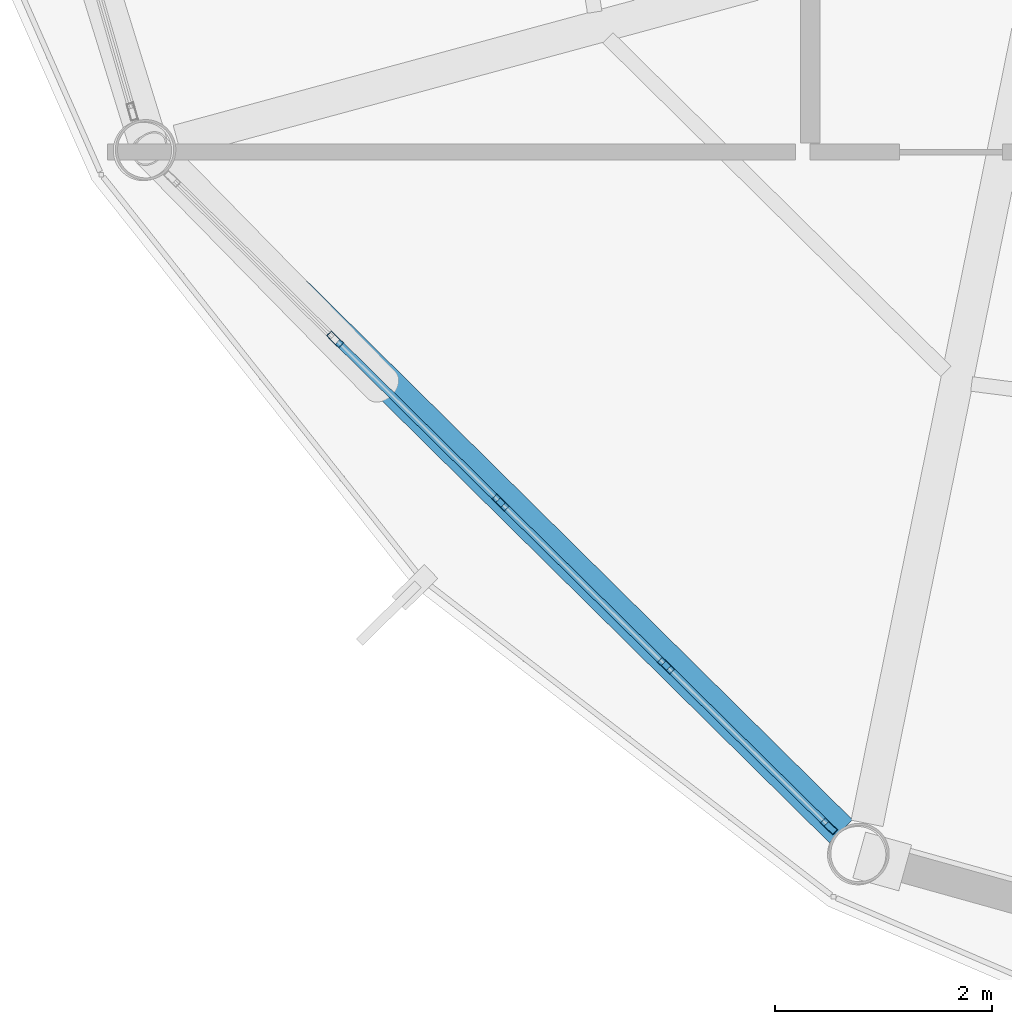
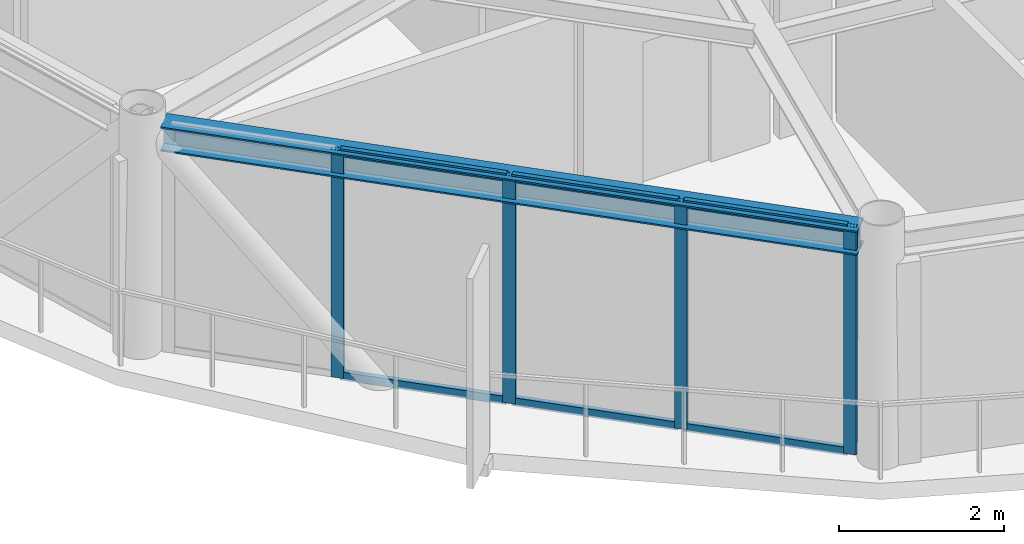
# One storey, part 2 of 26: 10 members, 1 beam, 1 element without a shape of its own.
"""IFC4 building model written with IfcOpenShell, lengths in metres."""

from ifc_helpers import new_model, si_unit, direction, frame, origin, origin_2d, place, context, subcontext, project, spatial, hollow_rectangle, i_section, extrude, material, layer, layer_set, material_profile, profile_set, type_object, element, aggregate, save


model = new_model("IFC4")

# Units and contexts
model_context = context("Model", 3, precision=1e-05, world=origin(), true_north=direction((0.0, 1.0)))
body_context = subcontext(model_context, "Body", "Model", "MODEL_VIEW")
ifc_project = project(units=[si_unit("LENGTHUNIT", "METRE"), si_unit("AREAUNIT", "SQUARE_METRE"), si_unit("VOLUMEUNIT", "CUBIC_METRE"), si_unit("PLANEANGLEUNIT", "RADIAN"), si_unit("MASSUNIT", "GRAM", prefix="KILO")], contexts=[model_context])

# Site, building, storey
site_placement = place(None, origin())
site = spatial("IfcSite", under=ifc_project, at=site_placement, CompositionType="ELEMENT")
building_placement = place(site_placement, origin())
building = spatial("IfcBuilding", under=site, at=building_placement, Name="Varnakorn Sky Granary", CompositionType="ELEMENT")
storey_placement = place(building_placement, frame((0.0, 0.0, 267.0)))
storey = spatial("IfcBuildingStorey", under=building, at=storey_placement, Name="L68", CompositionType="ELEMENT", Elevation=267.0)

# Beam
ifc_material_1 = material(Name="Steel S355JR", Category="steel")
ifc_material_profile_1 = material_profile(ifc_material_1, i_section(OverallWidth=0.300048828125, OverallDepth=0.360107421875, WebThickness=0.012451171875, FlangeThickness=0.0224609375, at=origin_2d()), Name="HE 360 B")
ifc_profile_set_1 = profile_set([ifc_material_profile_1], Name="Steel S355JR")
beam_type = type_object("IfcBeamType", Name="BM-SPD-Z5", PredefinedType="SPANDREL", material=ifc_profile_set_1)
beam_placement = place(storey_placement, frame((-10.510498046875, -9.052978515625, 3.179931640625), z_axis=(0.71146702689, -0.702719481478, 0.0), x_axis=(0.702719481478, 0.71146702689, 0.0)))
element("IfcBeam", 1, at=beam_placement, inside=storey, type_object=beam_type, Name="Perimeter Spandrel Ring Beam RB08 L68", PredefinedType="SPANDREL", context=body_context, shape_type="SweptSolid", body=[
    extrude(i_section(OverallWidth=0.300048828125, OverallDepth=0.360107421875, WebThickness=0.012451171875, FlangeThickness=0.0224609375, at=origin_2d()), origin(), (0.0, 0.0, 1.0), 8.707763671875),
])

# Curtain wall, members
ifc_material_2 = material(Name="Anodised Bronze Aluminium Alloy 6063-T6", Category="aluminium")
ifc_layer = layer(ifc_material_2, 0.159912109375, Name="Anodised Bronze Aluminium Alloy 6063-T6")
ifc_layer_set = layer_set([ifc_layer], Name="Anodised Bronze Aluminium Alloy 6063-T6")
curtain_wall_type = type_object("IfcCurtainWallType", Name="CW-OFF-1", PredefinedType="USERDEFINED", material=ifc_layer_set)
curtain_wall_placement = place(storey_placement, origin())
curtain_wall = element("IfcCurtainWall", 2, at=curtain_wall_placement, inside=storey, type_object=curtain_wall_type, Name="Unitised Curtain Wall CW6 CW-L68-B08", ObjectType="CURTAIN WALL", PredefinedType="USERDEFINED")
ifc_material_profile_2 = material_profile(ifc_material_2, hollow_rectangle(XDim=0.06494140625, YDim=0.159912109375, WallThickness=0.00341796875, at=origin_2d()), Name="ALU MULL 65x160")
ifc_profile_set_2 = profile_set([ifc_material_profile_2], Name="Anodised Bronze Aluminium Alloy 6063-T6")
member_type_1 = type_object("IfcMemberType", Name="CW-OFF-1-MULL", PredefinedType="MULLION", material=ifc_profile_set_2)
member_1_placement = place(storey_placement, frame((-4.425537109375, -15.126220703125, 0.0), z_axis=(0.0, 0.0, 1.0), x_axis=(-0.702091405728, -0.71208683319, 0.0)))
member_1 = element("IfcMember", 3, at=member_1_placement, type_object=member_type_1, Name="CW6 mullion 1", PredefinedType="MULLION", context=body_context, shape_type="SweptSolid", body=[
    extrude(hollow_rectangle(XDim=0.06494140625, YDim=0.159912109375, WallThickness=0.00341796875, at=origin_2d()), origin(), (0.0, 0.0, 1.0), 3.360107421875),
])
member_2_placement = place(storey_placement, frame((-5.930419921875, -13.642333984375, 0.0), z_axis=(0.0, 0.0, 1.0), x_axis=(-0.702091405728, -0.71208683319, 0.0)))
member_2 = element("IfcMember", 4, at=member_2_placement, type_object=member_type_1, Name="CW6 mullion 2", PredefinedType="MULLION", context=body_context, shape_type="SweptSolid", body=[
    extrude(hollow_rectangle(XDim=0.06494140625, YDim=0.159912109375, WallThickness=0.00341796875, at=origin_2d()), origin(), (0.0, 0.0, 1.0), 3.360107421875),
])
member_3_placement = place(storey_placement, frame((-7.45849609375, -12.1357421875, 0.0), z_axis=(0.0, 0.0, 1.0), x_axis=(-0.702091405728, -0.71208683319, 0.0)))
member_3 = element("IfcMember", 5, at=member_3_placement, type_object=member_type_1, Name="CW6 mullion 3", PredefinedType="MULLION", context=body_context, shape_type="SweptSolid", body=[
    extrude(hollow_rectangle(XDim=0.06494140625, YDim=0.159912109375, WallThickness=0.00341796875, at=origin_2d()), origin(), (0.0, 0.0, 1.0), 3.360107421875),
])
member_4_placement = place(storey_placement, frame((-8.986572265625, -10.629150390625, 0.0), z_axis=(0.0, 0.0, 1.0), x_axis=(-0.702091405728, -0.71208683319, 0.0)))
member_4 = element("IfcMember", 6, at=member_4_placement, type_object=member_type_1, Name="CW6 mullion 4", PredefinedType="MULLION", context=body_context, shape_type="SweptSolid", body=[
    extrude(hollow_rectangle(XDim=0.06494140625, YDim=0.159912109375, WallThickness=0.00341796875, at=origin_2d()), origin(), (0.0, 0.0, 1.0), 3.360107421875),
])
ifc_material_profile_3 = material_profile(ifc_material_2, hollow_rectangle(XDim=0.06494140625, YDim=0.1201171875, WallThickness=0.00341796875, at=origin_2d()), Name="ALU TRAN 65x120")
ifc_profile_set_3 = profile_set([ifc_material_profile_3], Name="Anodised Bronze Aluminium Alloy 6063-T6")
member_type_2 = type_object("IfcMemberType", Name="CW-OFF-1-TRAN", PredefinedType="USERDEFINED", material=ifc_profile_set_3)
member_5_placement = place(storey_placement, frame((-4.448486328125, -15.103515625, 0.032470703125), z_axis=(-0.712094582658, 0.702083545847, 0.0), x_axis=(-0.702083545847, -0.712094582658, 0.0)))
member_5 = element("IfcMember", 7, at=member_5_placement, type_object=member_type_2, Name="CW6 transom 1.1", ObjectType="TRANSOM", PredefinedType="USERDEFINED", context=body_context, shape_type="SweptSolid", body=[
    extrude(hollow_rectangle(XDim=0.06494140625, YDim=0.1201171875, WallThickness=0.00341796875, at=origin_2d()), origin(), (0.0, 0.0, 1.0), 2.048583984375),
])
member_6_placement = place(storey_placement, frame((-4.448486328125, -15.103515625, 3.327392578125), z_axis=(-0.712094582658, 0.702083545847, 0.0), x_axis=(-0.702083545847, -0.712094582658, 0.0)))
member_6 = element("IfcMember", 8, at=member_6_placement, type_object=member_type_2, Name="CW6 transom 1.2", ObjectType="TRANSOM", PredefinedType="USERDEFINED", context=body_context, shape_type="SweptSolid", body=[
    extrude(hollow_rectangle(XDim=0.06494140625, YDim=0.1201171875, WallThickness=0.00341796875, at=origin_2d()), origin(), (0.0, 0.0, 1.0), 2.048583984375),
])
member_7_placement = place(storey_placement, frame((-5.95361328125, -13.61962890625, 0.032470703125), z_axis=(-0.712017066313, 0.70216215882, 0.0), x_axis=(-0.70216215882, -0.712017066313, 0.0)))
member_7 = element("IfcMember", 9, at=member_7_placement, type_object=member_type_2, Name="CW6 transom 2.1", ObjectType="TRANSOM", PredefinedType="USERDEFINED", context=body_context, shape_type="SweptSolid", body=[
    extrude(hollow_rectangle(XDim=0.06494140625, YDim=0.1201171875, WallThickness=0.00341796875, at=origin_2d()), origin(), (0.0, 0.0, 1.0), 2.0810546875),
])
member_8_placement = place(storey_placement, frame((-5.95361328125, -13.61962890625, 3.327392578125), z_axis=(-0.712017066313, 0.70216215882, 0.0), x_axis=(-0.70216215882, -0.712017066313, 0.0)))
member_8 = element("IfcMember", 10, at=member_8_placement, type_object=member_type_2, Name="CW6 transom 2.2", ObjectType="TRANSOM", PredefinedType="USERDEFINED", context=body_context, shape_type="SweptSolid", body=[
    extrude(hollow_rectangle(XDim=0.06494140625, YDim=0.1201171875, WallThickness=0.00341796875, at=origin_2d()), origin(), (0.0, 0.0, 1.0), 2.0810546875),
])
member_9_placement = place(storey_placement, frame((-7.481689453125, -12.113037109375, 0.032470703125), z_axis=(-0.712074901706, 0.702103506871, 0.0), x_axis=(-0.702103506871, -0.712074901706, 0.0)))
member_9 = element("IfcMember", 11, at=member_9_placement, type_object=member_type_2, Name="CW6 transom 3.1", ObjectType="TRANSOM", PredefinedType="USERDEFINED", context=body_context, shape_type="SweptSolid", body=[
    extrude(hollow_rectangle(XDim=0.06494140625, YDim=0.1201171875, WallThickness=0.00341796875, at=origin_2d()), origin(), (0.0, 0.0, 1.0), 2.0810546875),
])
member_10_placement = place(storey_placement, frame((-7.481689453125, -12.113037109375, 3.327392578125), z_axis=(-0.712074901706, 0.702103506871, 0.0), x_axis=(-0.702103506871, -0.712074901706, 0.0)))
member_10 = element("IfcMember", 12, at=member_10_placement, type_object=member_type_2, Name="CW6 transom 3.2", ObjectType="TRANSOM", PredefinedType="USERDEFINED", context=body_context, shape_type="SweptSolid", body=[
    extrude(hollow_rectangle(XDim=0.06494140625, YDim=0.1201171875, WallThickness=0.00341796875, at=origin_2d()), origin(), (0.0, 0.0, 1.0), 2.0810546875),
])
aggregate(curtain_wall, [member_1, member_2, member_3, member_4, member_5, member_6, member_7, member_8, member_9, member_10])

save(model, "model.ifc")
